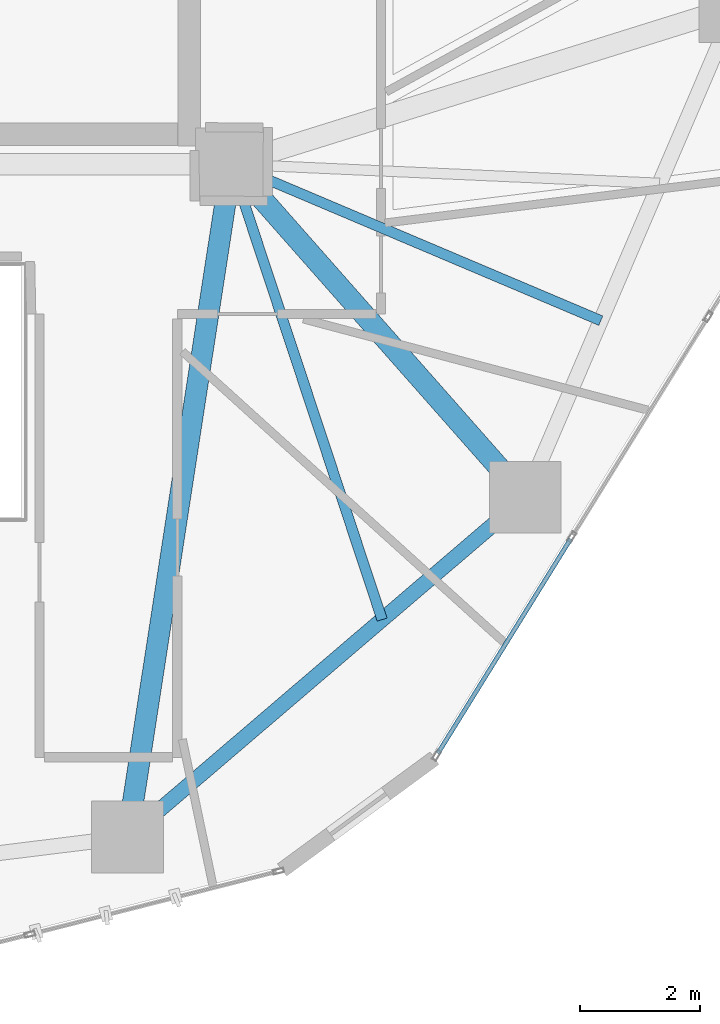
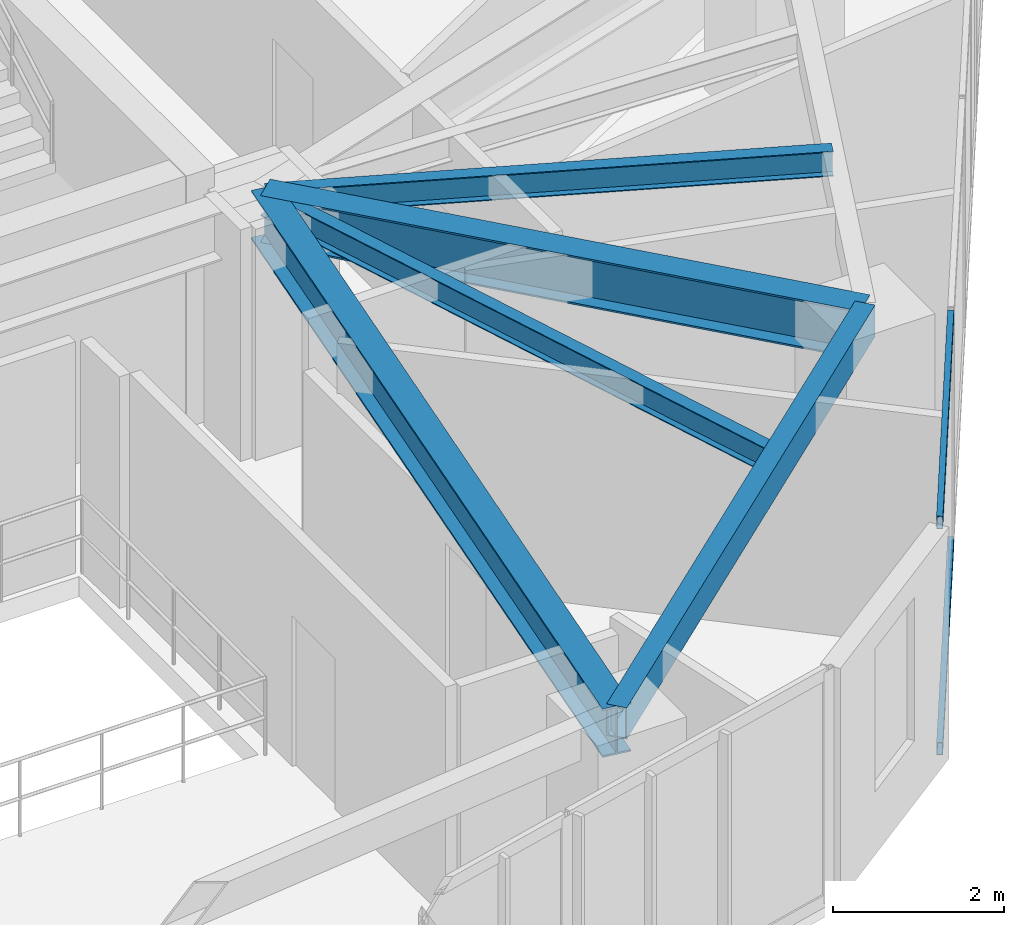
# One storey, part 6 of 20: 5 beams, 2 members, 1 element without a shape of its own.
"""IFC4 building model written with IfcOpenShell, lengths in metres."""

from ifc_helpers import new_model, si_unit, direction, frame, origin, origin_2d, place, context, subcontext, project, spatial, hollow_rectangle, i_section, extrude, source, transform, mapped, material, layer, layer_set, material_profile, profile_set, type_object, type_shapes, element, aggregate, save


model = new_model("IFC4")

# Units and contexts
model_context = context("Model", 3, precision=1e-05, world=origin(), true_north=direction((0.0, 1.0)))
body_context = subcontext(model_context, "Body", "Model", "MODEL_VIEW")
ifc_project = project(units=[si_unit("LENGTHUNIT", "METRE"), si_unit("AREAUNIT", "SQUARE_METRE"), si_unit("VOLUMEUNIT", "CUBIC_METRE"), si_unit("PLANEANGLEUNIT", "RADIAN"), si_unit("MASSUNIT", "GRAM", prefix="KILO")], contexts=[model_context])

# Site, building, storey
site_placement = place(None, origin())
site = spatial("IfcSite", under=ifc_project, at=site_placement, CompositionType="ELEMENT")
building_placement = place(site_placement, origin())
building = spatial("IfcBuilding", under=site, at=building_placement, Name="Talar Marvaseh", CompositionType="ELEMENT")
storey_placement = place(building_placement, frame((0.0, 0.0, 132.60009765625)))
storey = spatial("IfcBuildingStorey", under=building, at=storey_placement, Name="L34", CompositionType="ELEMENT", Elevation=132.60009765625)

# Beams
ifc_material_1 = material(Name="Steel S355", Category="steel")
ifc_material_profile_1 = material_profile(ifc_material_1, hollow_rectangle(XDim=0.25, YDim=0.449951171875, WallThickness=0.01611328125, at=origin_2d()), Name="RHS450x250x16")
ifc_profile_set_1 = profile_set([ifc_material_profile_1], Name="Steel S355")
beam_type_1 = type_object("IfcBeamType", Name="Zone 2 Perimeter Spandrel Beam RHS450x250x16", PredefinedType="SPANDREL", material=ifc_profile_set_1)
beam_1_placement = place(storey_placement, frame((38.2060546875, 19.94091796875, 3.0849609375), z_axis=(-0.76011265597, -0.649791312833, 0.0), x_axis=(0.649791312833, -0.76011265597, 0.0)))
element("IfcBeam", 1, at=beam_1_placement, inside=storey, type_object=beam_type_1, Name="L34 Zone 2 Perimeter Spandrel Beam RHS450x250x16", PredefinedType="SPANDREL", context=body_context, shape_type="SweptSolid", body=[
    extrude(hollow_rectangle(XDim=0.25, YDim=0.449951171875, WallThickness=0.01611328125, at=origin_2d()), origin(), (0.0, 0.0, 1.0), 8.730224609375),
])
ifc_material_profile_2 = material_profile(ifc_material_1, i_section(OverallWidth=0.35498046875, OverallDepth=0.695068359375, WebThickness=0.015380859375, FlangeThickness=0.02490234375, at=origin_2d()), Name="W690x217")
ifc_profile_set_2 = profile_set([ifc_material_profile_2], Name="Steel S355")
beam_type_2 = type_object("IfcBeamType", Name="Zone 2 Radial Floor Girder W690x217", PredefinedType="BEAM", material=ifc_profile_set_2)
beam_2_placement = place(storey_placement, frame((38.2060546875, 19.94091796875, 2.96240234375), z_axis=(-0.661692423388, 0.749775390921, 0.0), x_axis=(-0.749775390921, -0.661692423388, 0.0)))
element("IfcBeam", 2, at=beam_2_placement, inside=storey, type_object=beam_type_2, Name="L34 Zone 2 Radial Floor Girder W690x217", PredefinedType="BEAM", context=body_context, shape_type="SweptSolid", body=[
    extrude(i_section(OverallWidth=0.35498046875, OverallDepth=0.695068359375, WebThickness=0.015380859375, FlangeThickness=0.02490234375, at=origin_2d()), origin(), (0.0, 0.0, 1.0), 7.414306640625),
])
beam_3_placement = place(storey_placement, frame((31.570068359375, 14.26806640625, 2.96240234375), z_axis=(0.152228300633, 0.98834535689, 0.0), x_axis=(-0.98834535689, 0.152228300633, 0.0)))
element("IfcBeam", 3, at=beam_3_placement, inside=storey, type_object=beam_type_2, Name="L34 Zone 2 Radial Floor Girder W690x217", PredefinedType="BEAM", context=body_context, shape_type="SweptSolid", body=[
    extrude(i_section(OverallWidth=0.35498046875, OverallDepth=0.695068359375, WebThickness=0.015380859375, FlangeThickness=0.02490234375, at=origin_2d()), origin(), (0.0, 0.0, 1.0), 11.364501953125),
])
ifc_material_profile_3 = material_profile(ifc_material_1, i_section(OverallWidth=0.172119140625, OverallDepth=0.35791015625, WebThickness=0.0078125, FlangeThickness=0.01318359375, at=origin_2d()), Name="W360x57")
ifc_profile_set_3 = profile_set([ifc_material_profile_3], Name="Steel S355")
beam_type_3 = type_object("IfcBeamType", Name="Zone 2 Secondary Floor Joist W360x57", PredefinedType="JOIST", material=ifc_profile_set_3)
beam_4_placement = place(storey_placement, frame((39.467041015625, 22.88818359375, 3.130859375), z_axis=(-0.920822287071, 0.389982455546, 0.0), x_axis=(-0.389982455546, -0.920822287071, 0.0)))
element("IfcBeam", 4, at=beam_4_placement, inside=storey, type_object=beam_type_3, Name="L34 Zone 2 Secondary Floor Joist W360x57", PredefinedType="JOIST", context=body_context, shape_type="SweptSolid", body=[
    extrude(i_section(OverallWidth=0.172119140625, OverallDepth=0.35791015625, WebThickness=0.0078125, FlangeThickness=0.01318359375, at=origin_2d()), origin(), (0.0, 0.0, 1.0), 6.697265625),
])
beam_5_placement = place(storey_placement, frame((35.81689453125, 17.898681640625, 3.130859375), z_axis=(-0.314324535154, 0.949315588516, 0.0), x_axis=(-0.949315588516, -0.314324535154, 0.0)))
element("IfcBeam", 5, at=beam_5_placement, inside=storey, type_object=beam_type_3, Name="L34 Zone 2 Secondary Floor Joist W360x57", PredefinedType="JOIST", context=body_context, shape_type="SweptSolid", body=[
    extrude(i_section(OverallWidth=0.172119140625, OverallDepth=0.35791015625, WebThickness=0.0078125, FlangeThickness=0.01318359375, at=origin_2d()), origin(), (0.0, 0.0, 1.0), 8.007080078125),
])

# Curtain wall, members
ifc_material_2 = material(Name="Architectural Aluminium", Category="aluminium")
ifc_layer = layer(ifc_material_2, 0.199951171875)
ifc_layer_set = layer_set([ifc_layer], Name="Architectural Aluminium")
curtain_wall_type = type_object("IfcCurtainWallType", Name="Unitised Acoustic Library Curtain Wall Z2", PredefinedType="NOTDEFINED", material=ifc_layer_set)
curtain_wall_placement = place(storey_placement, origin())
curtain_wall = element("IfcCurtainWall", 6, at=curtain_wall_placement, inside=storey, type_object=curtain_wall_type, Name="L34 Unitised Acoustic Library Curtain Wall Z2", PredefinedType="NOTDEFINED")
ifc_material_profile_4 = material_profile(ifc_material_2, hollow_rectangle(XDim=0.074951171875, YDim=0.179931640625, WallThickness=0.0048828125, at=origin_2d()), Name="RHS180x75x5")
ifc_profile_set_4 = profile_set([ifc_material_profile_4], Name="Architectural Aluminium")
member_type = type_object("IfcMemberType", Name="Unitised Curtain Wall Transom RHS180x75x5", PredefinedType="USERDEFINED", material=ifc_profile_set_4)
shared_shape = source(origin(), body_context, "Body", "SweptSolid", [
    extrude(hollow_rectangle(XDim=0.074951171875, YDim=0.179931640625, WallThickness=0.0048828125, at=origin_2d()), origin(), (0.0, 0.0, 1.0), 4.211181640625),
])
type_shapes(member_type, [shared_shape])
member_1_placement = place(storey_placement, frame((38.963623046875, 19.246826171875, 0.037353515625), z_axis=(-0.526356610482, -0.850263911149, 0.0), x_axis=(0.850263911149, -0.526356610482, 0.0)))
member_1 = element("IfcMember", 7, at=member_1_placement, type_object=member_type, Name="CW-Z2 transom 5.1", ObjectType="TRANSOM", PredefinedType="USERDEFINED", context=body_context, shape_type="MappedRepresentation", body=[
    mapped(shared_shape, transform((0.0, 0.0, 0.0), x_axis=(1.0, 0.0, 0.0), y_axis=(0.0, 1.0, 0.0), z_axis=(0.0, 0.0, 1.0), scale=1.0)),
])
member_2_placement = place(storey_placement, frame((38.963623046875, 19.246826171875, 3.2724609375), z_axis=(-0.526356610482, -0.850263911149, 0.0), x_axis=(0.850263911149, -0.526356610482, 0.0)))
member_2 = element("IfcMember", 8, at=member_2_placement, type_object=member_type, Name="CW-Z2 transom 5.2", ObjectType="TRANSOM", PredefinedType="USERDEFINED", context=body_context, shape_type="MappedRepresentation", body=[
    mapped(shared_shape, transform((0.0, 0.0, 0.0), x_axis=(1.0, 0.0, 0.0), y_axis=(0.0, 1.0, 0.0), z_axis=(0.0, 0.0, 1.0), scale=1.0)),
])
aggregate(curtain_wall, [member_1, member_2])

save(model, "model.ifc")
